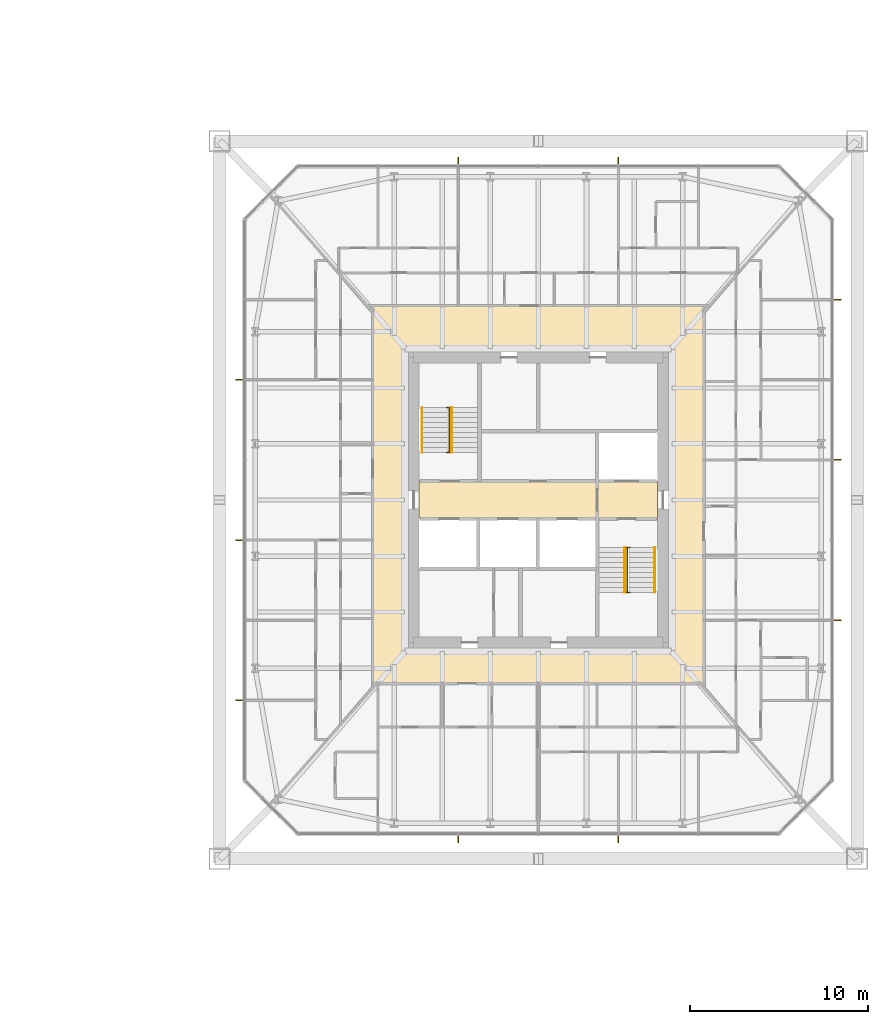
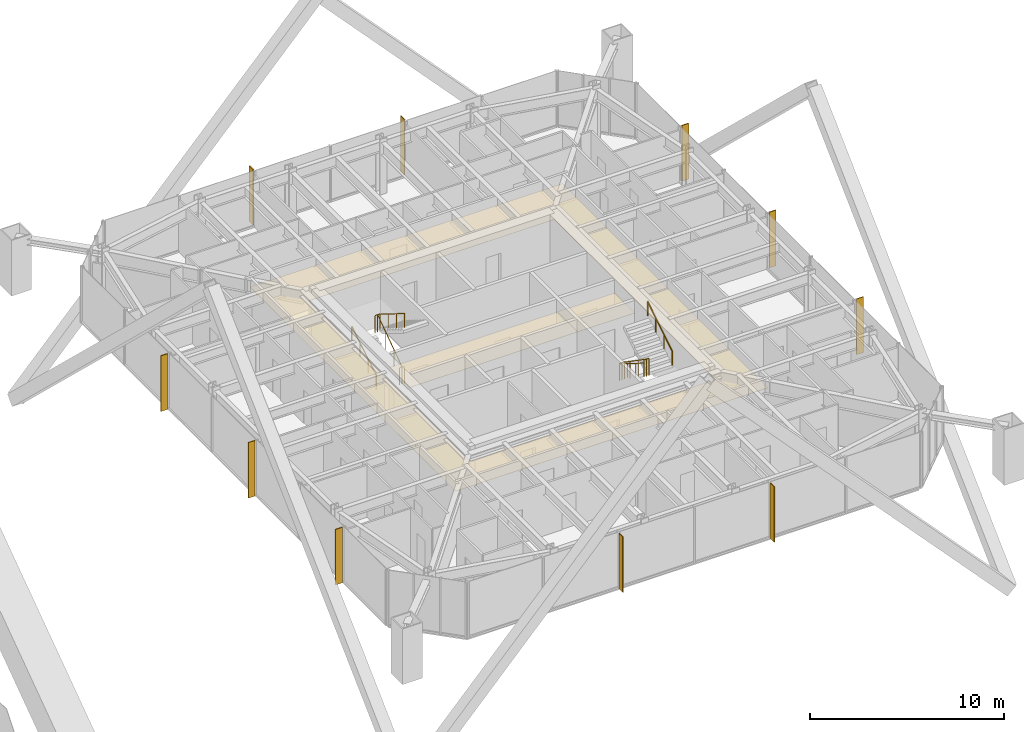
# One storey, part 28 of 28: 10 shading devices, 6 railings, 3 coverings.
"""IFC4 building model written with IfcOpenShell, lengths in metres."""

import ifcopenshell
import ifcopenshell.guid

model = None  # the IFC model being written
_history = None  # IfcOwnerHistory: only IFC2X3 demands one
_inside = {}  # id of a spatial element -> (the spatial element, [elements in it])
_under = {}  # id of a project, library or spatial element -> (it, [spatial elements below it])
_declared = {}  # id of a project -> (the project, [libraries it declares])
_typed = {}  # id of a type object -> (the type object, [elements of that type])
_made_of = {}  # id of a material, layer set ... -> (it, [elements and type objects made of it])


def new_model(schema):
    """Start an empty IFC model of exactly this schema.

    Asked for "IFC4X3", IfcOpenShell would pick the latest addendum, in which some entities
    have other attributes; the version numbers below select the first issue.
    IFC2X3 requires an IfcOwnerHistory on every rooted entity: one is made here for all.
    """
    global model, _history
    if schema == "IFC4X3":
        model = ifcopenshell.file(schema_version=(4, 3, 0, 0))
    else:
        model = ifcopenshell.file(schema=schema)
    _inside.clear()
    _under.clear()
    _declared.clear()
    _typed.clear()
    _made_of.clear()
    _history = None
    if model.schema == "IFC2X3":
        org = make("IfcOrganization", Name="unknown")
        user = make(
            "IfcPersonAndOrganization",
            ThePerson=make("IfcPerson", FamilyName="unknown"),
            TheOrganization=org,
        )
        app = make(
            "IfcApplication",
            ApplicationDeveloper=org,
            Version="unknown",
            ApplicationFullName="unknown",
            ApplicationIdentifier="unknown",
        )
        _history = make(
            "IfcOwnerHistory",
            OwningUser=user,
            OwningApplication=app,
            ChangeAction="ADDED",
            CreationDate=0,
        )
    return model


def make(cls, **values):
    """One entity of the class cls with the attributes given. An attribute that is None is left unset."""
    return model.create_entity(
        cls, **{name: value for name, value in values.items() if value is not None}
    )


def rooted(cls, **values):
    """An entity with a GlobalId (a new one), such as an element, a storey or a relation."""
    return make(cls, GlobalId=ifcopenshell.guid.new(), OwnerHistory=_history, **values)


def si_unit(unit_type, name, prefix=None):
    """IfcSIUnit, for example si_unit("LENGTHUNIT", "METRE", prefix="MILLI")."""
    return make("IfcSIUnit", UnitType=unit_type, Prefix=prefix, Name=name)


def assignment(units):
    """IfcUnitAssignment: the units of a project."""
    return None if units is None else make("IfcUnitAssignment", Units=units)


def point(xyz):
    """IfcCartesianPoint."""
    return None if xyz is None else make("IfcCartesianPoint", Coordinates=xyz)


def direction(xyz):
    """IfcDirection."""
    return None if xyz is None else make("IfcDirection", DirectionRatios=xyz)


def frame(location, z_axis=None, x_axis=None):
    """IfcAxis2Placement3D, a coordinate frame: its origin and axes. An axis left out is left unset."""
    return make(
        "IfcAxis2Placement3D",
        Location=point(location),
        Axis=direction(z_axis),
        RefDirection=direction(x_axis),
    )


def frame_2d(location, x_axis=None):
    """IfcAxis2Placement2D, a coordinate frame in the plane: its origin and x axis."""
    return make(
        "IfcAxis2Placement2D", Location=point(location), RefDirection=direction(x_axis)
    )


def origin():
    """The frame at (0, 0, 0) with its axes left unset."""
    return frame((0.0, 0.0, 0.0))


def origin_2d():
    """The frame at (0, 0) in the plane with its x axis left unset."""
    return frame_2d((0.0, 0.0))


def place(relative_to, where):
    """IfcLocalPlacement: puts the frame where relative to a parent placement (None: the world)."""
    return make(
        "IfcLocalPlacement", PlacementRelTo=relative_to, RelativePlacement=where
    )


def context(
    kind, dimensions, precision=None, world=None, true_north=None, identifier=None
):
    """IfcGeometricRepresentationContext, for example the 3D "Model" context."""
    return make(
        "IfcGeometricRepresentationContext",
        ContextIdentifier=identifier,
        ContextType=kind,
        CoordinateSpaceDimension=dimensions,
        Precision=precision,
        WorldCoordinateSystem=world,
        TrueNorth=true_north,
    )


def subcontext(parent, identifier, kind, view, scale=None):
    """IfcGeometricRepresentationSubContext, for example "Body" below "Model"."""
    return make(
        "IfcGeometricRepresentationSubContext",
        ContextIdentifier=identifier,
        ContextType=kind,
        ParentContext=parent,
        TargetScale=scale,
        TargetView=view,
    )


def project(units=None, contexts=None):
    """IfcProject with its units and contexts."""
    return rooted(
        "IfcProject",
        Name="project",
        RepresentationContexts=contexts,
        UnitsInContext=assignment(units),
    )


def spatial(cls, under=None, at=None, **own):
    """A site, building, storey or space (cls), placed at a placement, below another one or the project."""
    s = rooted(cls, ObjectPlacement=at, **own)
    if under is not None:
        _under.setdefault(under.id(), (under, []))[1].append(s)
    return s


def polyline(points):
    """IfcPolyline through the points."""
    return make("IfcPolyline", Points=[point(p) for p in points])


def profile(cls, at=None, kind="AREA", **sizes):
    """A parametric profile (cls). Its sizes go by their IFC names, for example OverallWidth=200.0."""
    return make(cls, ProfileType=kind, Position=at, **sizes)


def rectangle(**sizes):
    """IfcRectangleProfileDef."""
    return profile("IfcRectangleProfileDef", **sizes)


def circle(**sizes):
    """IfcCircleProfileDef."""
    return profile("IfcCircleProfileDef", **sizes)


def outline(outer, holes=None, kind="AREA"):
    """IfcArbitraryClosedProfileDef: a profile drawn as a closed curve; with holes, ...WithVoids."""
    if holes is None:
        return make("IfcArbitraryClosedProfileDef", ProfileType=kind, OuterCurve=outer)
    return make(
        "IfcArbitraryProfileDefWithVoids",
        ProfileType=kind,
        OuterCurve=outer,
        InnerCurves=holes,
    )


def extrude(swept, where, along, depth):
    """IfcExtrudedAreaSolid: the profile swept, set in the frame where, extruded along a direction by depth."""
    return make(
        "IfcExtrudedAreaSolid",
        SweptArea=swept,
        Position=where,
        ExtrudedDirection=direction(along),
        Depth=depth,
    )


def shape(context_of_items, identifier, shape_type, items):
    """IfcShapeRepresentation: the items that make up one representation, for example the "Body"."""
    return make(
        "IfcShapeRepresentation",
        ContextOfItems=context_of_items,
        RepresentationIdentifier=identifier,
        RepresentationType=shape_type,
        Items=items,
    )


def material(Name=None, Category=None):
    """IfcMaterial."""
    return make("IfcMaterial", Name=Name, Category=Category)


def layer(
    of_material, thickness, ventilated=None, Name=None, Category=None, Priority=None
):
    """IfcMaterialLayer: one layer of a wall or slab, of a material (None: an air gap)."""
    return make(
        "IfcMaterialLayer",
        Material=of_material,
        LayerThickness=thickness,
        IsVentilated=ventilated,
        Name=Name,
        Category=Category,
        Priority=Priority,
    )


def layer_set(layers, Name=None):
    """IfcMaterialLayerSet."""
    return make("IfcMaterialLayerSet", MaterialLayers=layers, LayerSetName=Name)


def constituent(of_material, Name=None, Category=None, fraction=None):
    """IfcMaterialConstituent: one of the materials an element consists of."""
    return make(
        "IfcMaterialConstituent",
        Name=Name,
        Material=of_material,
        Fraction=fraction,
        Category=Category,
    )


def constituent_set(constituents=None, Name=None):
    """IfcMaterialConstituentSet."""
    return make(
        "IfcMaterialConstituentSet", Name=Name, MaterialConstituents=constituents
    )


def made_of(thing, what):
    """Note that an element or type object is made of a material, layer set ...; save() writes the relation."""
    if what is not None:
        _made_of.setdefault(what.id(), (what, []))[1].append(thing)
    return thing


def type_object(cls, material=None, **own):
    """A type object (cls), such as IfcWallType, which elements share."""
    return made_of(rooted(cls, **own), material)


def element(
    cls,
    number,
    at=None,
    inside=None,
    cuts=None,
    type_object=None,
    material=None,
    context=None,
    identifier="Body",
    shape_type=None,
    held_by="IfcProductDefinitionShape",
    body=None,
    shapes=None,
    **own,
):
    """One element of the class cls, such as IfcWall. Its Tag is "e" and its number.

    at: its placement. inside: the storey or other place that contains it. cuts: it is an
    opening in that element (IfcRelVoidsElement). A single representation is given by context,
    identifier, shape_type and body (its items); several are given by shapes. held_by: the class
    of the entity that holds the representations. save() writes the other relations.
    """
    e = rooted(cls, Tag="e%d" % number, ObjectPlacement=at, **own)
    if body is not None:
        shapes = [shape(context, identifier, shape_type, body)]
    if shapes is not None:
        e.Representation = make(held_by, Representations=shapes)
    if inside is not None:
        _inside.setdefault(inside.id(), (inside, []))[1].append(e)
    if cuts is not None:
        rooted(
            "IfcRelVoidsElement", RelatingBuildingElement=cuts, RelatedOpeningElement=e
        )
    if type_object is not None:
        _typed.setdefault(type_object.id(), (type_object, []))[1].append(e)
    return made_of(e, material)


def aggregate(whole, parts):
    """IfcRelAggregates: a whole, such as a stair, and the parts it consists of."""
    return rooted("IfcRelAggregates", RelatingObject=whole, RelatedObjects=parts)


def save(model, path):
    """Write the relations noted so far, then the file.

    IfcRelAggregates (storeys below a building ...), IfcRelContainedInSpatialStructure (elements
    in a storey), IfcRelDefinesByType, IfcRelAssociatesMaterial and IfcRelDeclares: one each for
    every whole, place, type object, material and project.
    """
    for whole, parts in _under.values():
        aggregate(whole, parts)
    for where, things in _inside.values():
        rooted(
            "IfcRelContainedInSpatialStructure",
            RelatedElements=things,
            RelatingStructure=where,
        )
    for kind, things in _typed.values():
        rooted("IfcRelDefinesByType", RelatedObjects=things, RelatingType=kind)
    for what, things in _made_of.values():
        rooted("IfcRelAssociatesMaterial", RelatedObjects=things, RelatingMaterial=what)
    for by, libraries in _declared.values():
        rooted("IfcRelDeclares", RelatingContext=by, RelatedDefinitions=libraries)
    model.write(path)


model = new_model("IFC4")

# Units and contexts
model_context = context("Model", 3, precision=1e-05, world=origin(), true_north=direction((0.0, 1.0)))
body_context = subcontext(model_context, "Body", "Model", "MODEL_VIEW")
ifc_project = project(units=[si_unit("LENGTHUNIT", "METRE"), si_unit("AREAUNIT", "SQUARE_METRE"), si_unit("VOLUMEUNIT", "CUBIC_METRE"), si_unit("PLANEANGLEUNIT", "RADIAN"), si_unit("MASSUNIT", "GRAM", prefix="KILO")], contexts=[model_context])

# Site, building, storey
site_placement = place(None, origin())
site = spatial("IfcSite", under=ifc_project, at=site_placement, CompositionType="ELEMENT")
building_placement = place(site_placement, origin())
building = spatial("IfcBuilding", under=site, at=building_placement, Name="Iwan Alto Co-Living Towers", CompositionType="ELEMENT")
storey_placement = place(building_placement, frame((0.0, 0.0, 43.0)))
storey = spatial("IfcBuildingStorey", under=building, at=storey_placement, Name="L11", CompositionType="ELEMENT", Elevation=43.0)

# Coverings
ifc_material_1 = material(Name="Mineral fibre acoustic tiles on steel grid", Category="steel")
ifc_layer_1 = layer(ifc_material_1, 0.02001953125)
ifc_layer_set_1 = layer_set([ifc_layer_1], Name="ACOUSTIC TILE CEILING 20")
covering_type_1 = type_object("IfcCoveringType", Name="ACOUSTIC TILE CEILING 20", PredefinedType="CEILING", material=ifc_layer_set_1)
covering_1_placement = place(storey_placement, frame((0.0, 0.0, 2.60009765625)))
element("IfcCovering", 1, at=covering_1_placement, inside=storey, type_object=covering_type_1, Name="Ceiling Lift lobby L11", PredefinedType="CEILING", context=body_context, shape_type="SweptSolid", body=[
    extrude(outline(polyline([(56.300048828125, -1.050048828125), (56.300048828125, 1.050048828125), (66.300048828125, 1.050048828125), (66.300048828125, -1.050048828125), (56.300048828125, -1.050048828125)])), origin(), (0.0, 0.0, 1.0), 0.02001953125),
])
covering_2_placement = place(storey_placement, frame((0.0, 0.0, 2.60009765625)))
element("IfcCovering", 2, at=covering_2_placement, inside=storey, type_object=covering_type_1, Name="Ceiling Firefighting lobby L11", PredefinedType="CEILING", context=body_context, shape_type="SweptSolid", body=[
    extrude(outline(polyline([(66.300048828125, -1.050048828125), (66.300048828125, 1.050048828125), (69.699951171875, 1.050048828125), (69.699951171875, -1.050048828125), (66.300048828125, -1.050048828125)])), origin(), (0.0, 0.0, 1.0), 0.02001953125),
])

# Shading devices
ifc_material_2 = material(Name="Aluminium 6063-T6 bronze anodised", Category="aluminium")
ifc_layer_2 = layer(ifc_material_2, 0.050048828125)
ifc_layer_set_2 = layer_set([ifc_layer_2], Name="BRONZE FIN 50X400")
shading_device_type = type_object("IfcShadingDeviceType", Name="BRONZE FIN 50X400", PredefinedType="USERDEFINED", material=ifc_layer_set_2)
for number, where, z_axis, x_axis, name in (
    (3, (58.5, -19.050048828125, 0.0), (0.0, 0.0, 1.0), (1.0, 0.0, 0.0), "Bronze fin L11"),
    (4, (67.5, -19.050048828125, 0.0), (0.0, 0.0, 1.0), (1.0, 0.0, 0.0), "Bronze fin L11"),
    (5, (79.800048828125, -6.75, 0.0), (0.0, 0.0, 1.0), (0.0, 1.0, 0.0), "Bronze fin L11"),
    (6, (79.800048828125, 2.25, 0.0), (0.0, 0.0, 1.0), (0.0, 1.0, 0.0), "Bronze fin L11"),
    (7, (79.800048828125, 11.25, 0.0), (0.0, 0.0, 1.0), (0.0, 1.0, 0.0), "Bronze fin L11"),
    (8, (67.5, 19.050048828125, 0.0), (0.0, 0.0, 1.0), (-1.0, 0.0, 0.0), "Bronze fin L11"),
    (9, (58.5, 19.050048828125, 0.0), (0.0, 0.0, 1.0), (-1.0, 0.0, 0.0), "Bronze fin L11"),
    (10, (46.199951171875, 6.75, 0.0), (0.0, 0.0, 1.0), (0.0, -1.0, 0.0), "Bronze fin L11"),
    (11, (46.199951171875, -2.25, 0.0), (0.0, 0.0, 1.0), (0.0, -1.0, 0.0), "Bronze fin L11"),
    (12, (46.199951171875, -11.25, 0.0), (0.0, 0.0, 1.0), (0.0, -1.0, 0.0), "Bronze fin L11"),
):
    element("IfcShadingDevice", number, at=place(storey_placement, frame(where, z_axis=z_axis, x_axis=x_axis)), inside=storey, type_object=shading_device_type, Name=name, ObjectType="LOUVER", PredefinedType="USERDEFINED", context=body_context, shape_type="SweptSolid", body=[
        extrude(rectangle(XDim=0.050048828125, YDim=0.39990234375, at=origin_2d()), origin(), (0.0, 0.0, 1.0), 3.5),
    ])

# Railings
ifc_material_3 = material(Name="Steel ASTM A500 Gr C", Category="steel")
ifc_constituent_1 = constituent(ifc_material_3, Name="Rails and posts", Category="Framing")
ifc_material_4 = material(Name="Steel ASTM A36", Category="steel")
ifc_constituent_2 = constituent(ifc_material_4, Name="Bar infill", Category="Infill")
ifc_constituent_set = constituent_set(constituents=[ifc_constituent_1, ifc_constituent_2], Name="STAIR GUARD 1100")
railing_type_1 = type_object("IfcRailingType", Name="STAIR GUARD 1100", PredefinedType="GUARDRAIL", material=ifc_constituent_set)
railing_1_placement = place(storey_placement, frame((58.0, 2.669921875, 0.0)))
element("IfcRailing", 13, at=railing_1_placement, inside=storey, type_object=railing_type_1, Name="Stair T2-S1 well guard L11", PredefinedType="GUARDRAIL", context=body_context, shape_type="SweptSolid", body=[
    extrude(circle(Radius=0.02392578125, at=origin_2d()), frame((0.0, 0.0, 1.076171875), z_axis=(0.0, 0.821372036852, 0.570392826987), x_axis=(-1.0, 0.0, 0.0)), (0.0, 0.0, 1.0), 3.068115234375),
    extrude(circle(Radius=0.02392578125, at=origin_2d()), frame((-0.14990234375, 0.0, 1.076171875), z_axis=(1.0, 0.0, 0.0), x_axis=(0.0, 1.0, 0.0)), (0.0, 0.0, 1.0), 0.2998046875),
    extrude(circle(Radius=0.02392578125, at=origin_2d()), frame((-0.14990234375, 2.52001953125, 2.826171875), z_axis=(1.0, 0.0, 0.0), x_axis=(0.0, 1.0, 0.0)), (0.0, 0.0, 1.0), 0.2998046875),
    extrude(circle(Radius=0.02099609375, at=origin_2d()), origin(), (0.0, 0.0, 1.0), 1.052001953125),
    extrude(circle(Radius=0.02099609375, at=origin_2d()), frame((0.0, 0.840087890625, 0.583251953125)), (0.0, 0.0, 1.0), 1.052001953125),
    extrude(circle(Radius=0.02099609375, at=origin_2d()), frame((0.0, 1.679931640625, 1.166748046875)), (0.0, 0.0, 1.0), 1.052001953125),
    extrude(circle(Radius=0.02099609375, at=origin_2d()), frame((0.0, 2.52001953125, 1.75)), (0.0, 0.0, 1.0), 1.052001953125),
    extrude(circle(Radius=0.02099609375, at=origin_2d()), frame((-0.14990234375, 0.0, 0.0)), (0.0, 0.0, 1.0), 1.052001953125),
    extrude(circle(Radius=0.02099609375, at=origin_2d()), frame((0.14990234375, 0.0, 0.0)), (0.0, 0.0, 1.0), 1.052001953125),
    extrude(circle(Radius=0.02099609375, at=origin_2d()), frame((-0.14990234375, 2.52001953125, 1.75)), (0.0, 0.0, 1.0), 1.052001953125),
    extrude(circle(Radius=0.02099609375, at=origin_2d()), frame((0.14990234375, 2.52001953125, 1.75)), (0.0, 0.0, 1.0), 1.052001953125),
])
railing_2_placement = place(storey_placement, frame((68.0, -2.669921875, 0.0)))
element("IfcRailing", 14, at=railing_2_placement, inside=storey, type_object=railing_type_1, Name="Stair T2-S2 well guard L11", PredefinedType="GUARDRAIL", context=body_context, shape_type="SweptSolid", body=[
    extrude(circle(Radius=0.02392578125, at=origin_2d()), frame((0.0, 0.0, 1.076171875), z_axis=(0.0, -0.821372036852, 0.570392826987), x_axis=(1.0, 0.0, 0.0)), (0.0, 0.0, 1.0), 3.068115234375),
    extrude(circle(Radius=0.02392578125, at=origin_2d()), frame((-0.14990234375, 0.0, 1.076171875), z_axis=(1.0, 0.0, 0.0), x_axis=(0.0, 1.0, 0.0)), (0.0, 0.0, 1.0), 0.2998046875),
    extrude(circle(Radius=0.02392578125, at=origin_2d()), frame((-0.14990234375, -2.52001953125, 2.826171875), z_axis=(1.0, 0.0, 0.0), x_axis=(0.0, 1.0, 0.0)), (0.0, 0.0, 1.0), 0.2998046875),
    extrude(circle(Radius=0.02099609375, at=origin_2d()), origin(), (0.0, 0.0, 1.0), 1.052001953125),
    extrude(circle(Radius=0.02099609375, at=origin_2d()), frame((0.0, -0.840087890625, 0.583251953125)), (0.0, 0.0, 1.0), 1.052001953125),
    extrude(circle(Radius=0.02099609375, at=origin_2d()), frame((0.0, -1.679931640625, 1.166748046875)), (0.0, 0.0, 1.0), 1.052001953125),
    extrude(circle(Radius=0.02099609375, at=origin_2d()), frame((0.0, -2.52001953125, 1.75)), (0.0, 0.0, 1.0), 1.052001953125),
    extrude(circle(Radius=0.02099609375, at=origin_2d()), frame((-0.14990234375, 0.0, 0.0)), (0.0, 0.0, 1.0), 1.052001953125),
    extrude(circle(Radius=0.02099609375, at=origin_2d()), frame((0.14990234375, 0.0, 0.0)), (0.0, 0.0, 1.0), 1.052001953125),
    extrude(circle(Radius=0.02099609375, at=origin_2d()), frame((-0.14990234375, -2.52001953125, 1.75)), (0.0, 0.0, 1.0), 1.052001953125),
    extrude(circle(Radius=0.02099609375, at=origin_2d()), frame((0.14990234375, -2.52001953125, 1.75)), (0.0, 0.0, 1.0), 1.052001953125),
])
ifc_material_5 = material(Name="Steel ASTM A500 Gr C", Category="steel")
railing_type_2 = type_object("IfcRailingType", Name="STAIR HANDRAIL 900", PredefinedType="HANDRAIL", material=ifc_material_5)
railing_3_placement = place(storey_placement, frame((56.469970703125, 2.669921875, 0.175048828125)))
element("IfcRailing", 15, at=railing_3_placement, inside=storey, type_object=railing_type_2, Name="Stair T2-S1 handrail 1 L11", PredefinedType="HANDRAIL", context=body_context, shape_type="SweptSolid", body=[
    extrude(circle(Radius=0.02392578125, at=origin_2d()), frame((0.0, 0.0, 0.8759765625), z_axis=(0.0, 0.848007534815, 0.529984170421), x_axis=(-1.0, 0.0, 0.0)), (0.0, 0.0, 1.0), 2.9716796875),
    extrude(circle(Radius=0.02099609375, at=origin_2d()), origin(), (0.0, 0.0, 1.0), 0.851806640625),
    extrude(circle(Radius=0.02099609375, at=origin_2d()), frame((0.0, 0.840087890625, 0.52490234375)), (0.0, 0.0, 1.0), 0.851806640625),
    extrude(circle(Radius=0.02099609375, at=origin_2d()), frame((0.0, 1.679931640625, 1.050048828125)), (0.0, 0.0, 1.0), 0.851806640625),
    extrude(circle(Radius=0.02099609375, at=origin_2d()), frame((0.0, 2.52001953125, 1.574951171875)), (0.0, 0.0, 1.0), 0.851806640625),
])
for number, where, name in (
    (16, (58.14990234375, 5.18994140625, 1.925048828125), "Stair T2-S1 handrail 2 L11"),
    (17, (67.85009765625, -2.669921875, 0.175048828125), "Stair T2-S2 handrail 1 L11"),
):
    element("IfcRailing", number, at=place(storey_placement, frame(where)), inside=storey, type_object=railing_type_2, Name=name, PredefinedType="HANDRAIL", context=body_context, shape_type="SweptSolid", body=[
        extrude(circle(Radius=0.02392578125, at=origin_2d()), frame((0.0, 0.0, 0.8759765625), z_axis=(0.0, -0.848007534815, 0.529984170421), x_axis=(1.0, 0.0, 0.0)), (0.0, 0.0, 1.0), 2.9716796875),
        extrude(circle(Radius=0.02099609375, at=origin_2d()), origin(), (0.0, 0.0, 1.0), 0.851806640625),
        extrude(circle(Radius=0.02099609375, at=origin_2d()), frame((0.0, -0.840087890625, 0.52490234375)), (0.0, 0.0, 1.0), 0.851806640625),
        extrude(circle(Radius=0.02099609375, at=origin_2d()), frame((0.0, -1.679931640625, 1.050048828125)), (0.0, 0.0, 1.0), 0.851806640625),
        extrude(circle(Radius=0.02099609375, at=origin_2d()), frame((0.0, -2.52001953125, 1.574951171875)), (0.0, 0.0, 1.0), 0.851806640625),
    ])
railing_4_placement = place(storey_placement, frame((69.530029296875, -5.18994140625, 1.925048828125)))
element("IfcRailing", 18, at=railing_4_placement, inside=storey, type_object=railing_type_2, Name="Stair T2-S2 handrail 2 L11", PredefinedType="HANDRAIL", context=body_context, shape_type="SweptSolid", body=[
    extrude(circle(Radius=0.02392578125, at=origin_2d()), frame((0.0, 0.0, 0.8759765625), z_axis=(0.0, 0.848007534815, 0.529984170421), x_axis=(-1.0, 0.0, 0.0)), (0.0, 0.0, 1.0), 2.9716796875),
    extrude(circle(Radius=0.02099609375, at=origin_2d()), origin(), (0.0, 0.0, 1.0), 0.851806640625),
    extrude(circle(Radius=0.02099609375, at=origin_2d()), frame((0.0, 0.840087890625, 0.52490234375)), (0.0, 0.0, 1.0), 0.851806640625),
    extrude(circle(Radius=0.02099609375, at=origin_2d()), frame((0.0, 1.679931640625, 1.050048828125)), (0.0, 0.0, 1.0), 0.851806640625),
    extrude(circle(Radius=0.02099609375, at=origin_2d()), frame((0.0, 2.52001953125, 1.574951171875)), (0.0, 0.0, 1.0), 0.851806640625),
])

# Covering
ifc_material_6 = material(Name="Gypsum plasterboard on steel grid", Category="steel")
ifc_layer_3 = layer(ifc_material_6, 0.014892578125)
ifc_layer_set_3 = layer_set([ifc_layer_3], Name="SUSPENDED PLASTERBOARD CEILING 15")
covering_type_2 = type_object("IfcCoveringType", Name="SUSPENDED PLASTERBOARD CEILING 15", PredefinedType="CEILING", material=ifc_layer_set_3)
covering_3_placement = place(storey_placement, frame((0.0, 0.0, 2.60009765625)))
element("IfcCovering", 19, at=covering_3_placement, inside=storey, type_object=covering_type_2, Name="Ceiling Corridor L11", PredefinedType="CEILING", context=body_context, shape_type="SweptSolid", body=[
    extrude(outline(polyline([(53.699951171875, 10.89990234375), (72.300048828125, 10.89990234375), (72.300048828125, -10.300048828125), (53.699951171875, -10.300048828125), (53.699951171875, 10.89990234375)]), holes=[polyline([(55.699951171875, 8.300048828125), (55.699951171875, -8.300048828125), (70.300048828125, -8.300048828125), (70.300048828125, 8.300048828125), (55.699951171875, 8.300048828125)])]), origin(), (0.0, 0.0, 1.0), 0.014892578125),
])

save(model, "model.ifc")
